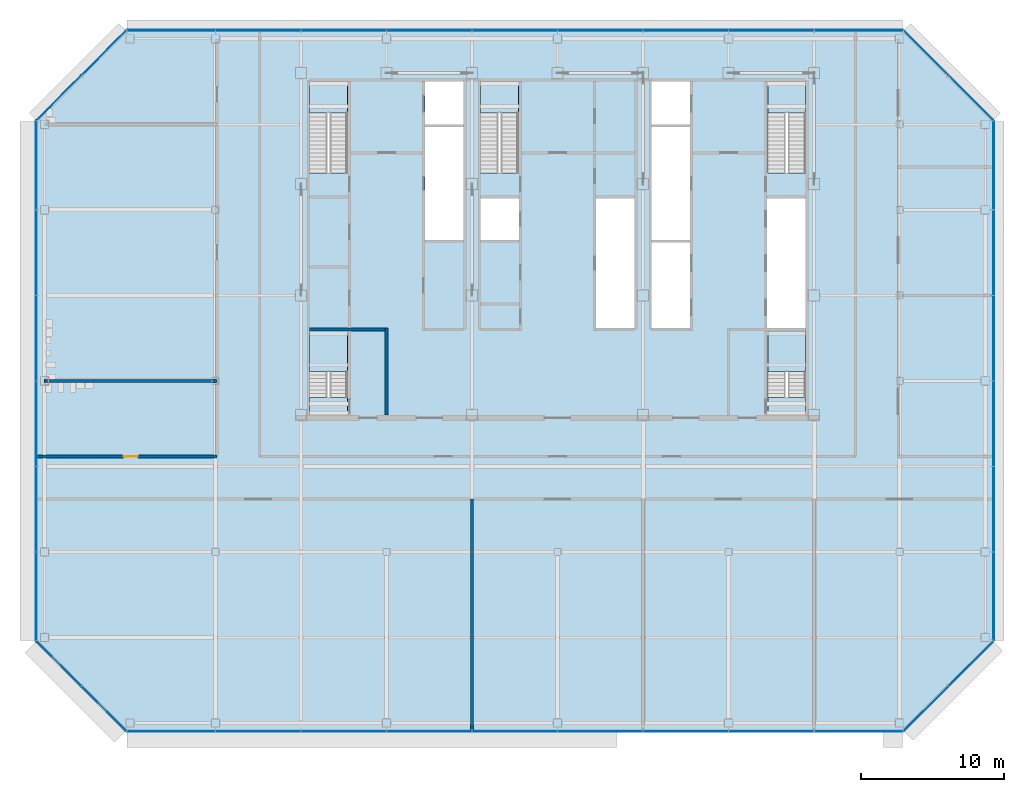
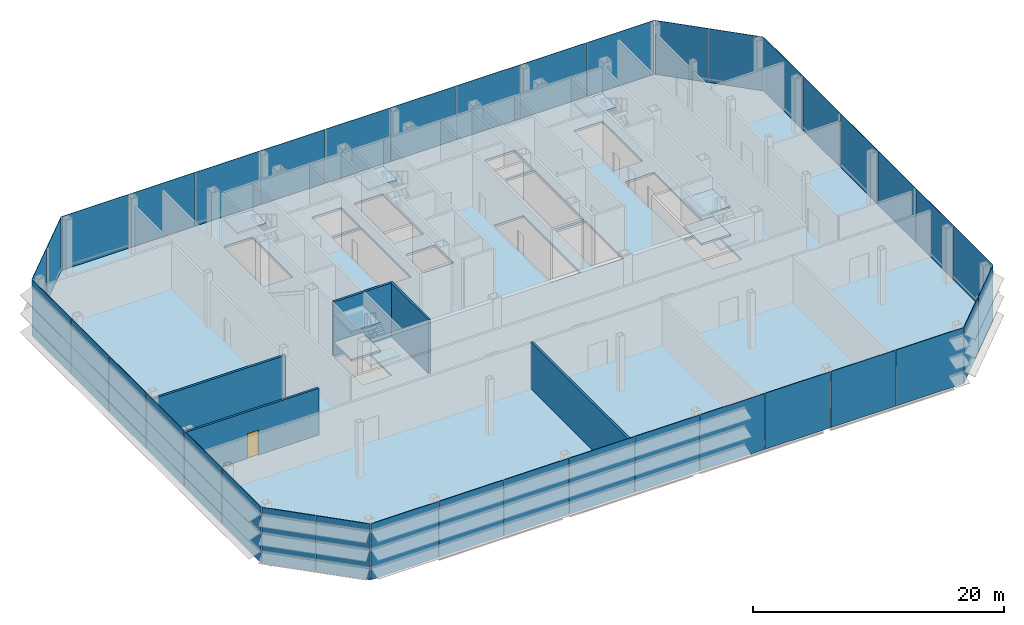
# One storey, part 18 of 26: 38 plates, 10 slabs, 5 walls, 1 door, 1 opening, 13 elements without a shape of their own.
"""IFC4 building model written with IfcOpenShell, lengths in metres."""

from ifc_helpers import new_model, si_unit, direction, frame, frame_2d, origin, origin_2d, place, context, subcontext, project, spatial, polyline, rectangle, outline, extrude, material, layer, layer_set, type_object, element, fill, aggregate, save


model = new_model("IFC4")

# Units and contexts
model_context = context("Model", 3, precision=1e-05, world=origin(), true_north=direction((0.0, 1.0)))
body_context = subcontext(model_context, "Body", "Model", "MODEL_VIEW")
ifc_project = project(units=[si_unit("LENGTHUNIT", "METRE"), si_unit("AREAUNIT", "SQUARE_METRE"), si_unit("VOLUMEUNIT", "CUBIC_METRE"), si_unit("PLANEANGLEUNIT", "RADIAN"), si_unit("MASSUNIT", "GRAM", prefix="KILO")], contexts=[model_context])

# Site, building, storey
site_placement = place(None, origin())
site = spatial("IfcSite", under=ifc_project, at=site_placement, CompositionType="ELEMENT")
building_placement = place(site_placement, origin())
building = spatial("IfcBuilding", under=site, at=building_placement, Name="Sorahane Residences", CompositionType="ELEMENT")
storey_placement = place(building_placement, frame((0.0, 0.0, 257.60009765625)))
storey = spatial("IfcBuildingStorey", under=building, at=storey_placement, Name="L61", CompositionType="ELEMENT", Elevation=257.60009765625)

# Slab
ifc_material_1 = material(Name="Concrete C35", Category="concrete")
ifc_layer_1 = layer(ifc_material_1, 0.219970703125)
ifc_layer_set_1 = layer_set([ifc_layer_1], Name="Composite floor slab 220 mm Concrete C35")
slab_type_1 = type_object("IfcSlabType", Name="Composite floor slab 220 mm Concrete C35", PredefinedType="FLOOR", material=ifc_layer_set_1)
slab_1_placement = place(storey_placement, frame((0.0, 0.0, -0.22021484375)))
element("IfcSlab", 1, at=slab_1_placement, inside=storey, type_object=slab_type_1, Name="Slab L61", PredefinedType="FLOOR", context=body_context, shape_type="SweptSolid", body=[
    extrude(outline(polyline([(-6.24853515625, -0.60009765625), (-12.60009765625, 5.75146484375), (-12.60009765625, 42.24853515625), (-6.24853515625, 48.60009765625), (48.24853515625, 48.60009765625), (54.60009765625, 42.24853515625), (54.60009765625, 5.75146484375), (48.24853515625, -0.60009765625), (-6.24853515625, -0.60009765625)]), holes=[polyline([(38.699951171875, 27.699951171875), (41.39990234375, 27.699951171875), (41.39990234375, 36.800048828125), (38.699951171875, 36.800048828125), (38.699951171875, 27.699951171875)]), polyline([(30.60009765625, 27.699951171875), (33.300048828125, 27.699951171875), (33.300048828125, 33.699951171875), (30.60009765625, 33.699951171875), (30.60009765625, 27.699951171875)]), polyline([(30.60009765625, 42.0), (33.300048828125, 42.0), (33.300048828125, 45.0), (30.60009765625, 45.0), (30.60009765625, 42.0)]), polyline([(14.699951171875, 42.0), (17.39990234375, 42.0), (17.39990234375, 45.0), (14.699951171875, 45.0), (14.699951171875, 42.0)]), polyline([(9.25, 38.60009765625), (9.25, 45.0), (6.60009765625, 45.0), (6.60009765625, 38.60009765625), (9.25, 38.60009765625)]), polyline([(41.39990234375, 38.60009765625), (41.39990234375, 45.0), (38.75, 45.0), (38.75, 38.60009765625), (41.39990234375, 38.60009765625)]), polyline([(21.25, 38.60009765625), (21.25, 45.0), (18.60009765625, 45.0), (18.60009765625, 38.60009765625), (21.25, 38.60009765625)]), polyline([(9.25, 22.85009765625), (9.25, 27.5), (6.60009765625, 27.5), (6.60009765625, 22.85009765625), (9.25, 22.85009765625)]), polyline([(41.39990234375, 22.85009765625), (41.39990234375, 27.5), (38.75, 27.5), (38.75, 22.85009765625), (41.39990234375, 22.85009765625)]), polyline([(14.699951171875, 33.89990234375), (17.39990234375, 33.89990234375), (17.39990234375, 41.800048828125), (14.699951171875, 41.800048828125), (14.699951171875, 33.89990234375)]), polyline([(30.60009765625, 33.89990234375), (33.300048828125, 33.89990234375), (33.300048828125, 41.800048828125), (30.60009765625, 41.800048828125), (30.60009765625, 33.89990234375)]), polyline([(18.60009765625, 33.89990234375), (21.300048828125, 33.89990234375), (21.300048828125, 36.800048828125), (18.60009765625, 36.800048828125), (18.60009765625, 33.89990234375)]), polyline([(26.699951171875, 27.699951171875), (29.39990234375, 27.699951171875), (29.39990234375, 36.800048828125), (26.699951171875, 36.800048828125), (26.699951171875, 27.699951171875)])]), origin(), (0.0, 0.0, 1.0), 0.22021484375),
])

# Curtain wall, plates
ifc_material_2 = material(Name="Dark low-e glass and black anodised aluminium", Category="aluminium")
curtain_wall_type = type_object("IfcCurtainWallType", Name="Curtain wall CW-4 Sky floor frameless wall", PredefinedType="NOTDEFINED", material=ifc_material_2)
curtain_wall_1_placement = place(storey_placement, origin())
curtain_wall_1 = element("IfcCurtainWall", 2, at=curtain_wall_1_placement, inside=storey, type_object=curtain_wall_type, Name="CW-4 curtain wall L61 S1", PredefinedType="NOTDEFINED")
ifc_material_3 = material(Name="Dark low-e glass with black ceramic frit", Category="glass")
ifc_layer_2 = layer(ifc_material_3, 0.0400390625)
ifc_layer_set_2 = layer_set([ifc_layer_2], Name="Curtain wall glass panel dark low-e frameless with black frit band")
plate_type = type_object("IfcPlateType", Name="Curtain wall glass panel dark low-e frameless with black frit band", PredefinedType="CURTAIN_PANEL", material=ifc_layer_set_2)
plate_1_placement = place(storey_placement, frame((-3.11181640625, -0.60009765625, -0.219970703125), z_axis=(0.0, 0.0, 1.0), x_axis=(1.0, 0.0, 0.0)))
plate_1 = element("IfcPlate", 3, at=plate_1_placement, type_object=plate_type, Name="CW-4 glass panel L61 S1.1", PredefinedType="CURTAIN_PANEL", context=body_context, shape_type="SweptSolid", body=[
    extrude(rectangle(XDim=6.173583984375, YDim=0.0400390625, at=origin_2d()), origin(), (0.0, 0.0, 1.0), 5.43994140625),
])
plate_2_placement = place(storey_placement, frame((3.0, -0.60009765625, -0.219970703125), z_axis=(0.0, 0.0, 1.0), x_axis=(1.0, 0.0, 0.0)))
plate_2 = element("IfcPlate", 4, at=plate_2_placement, type_object=plate_type, Name="CW-4 glass panel L61 S1.2", PredefinedType="CURTAIN_PANEL", context=body_context, shape_type="SweptSolid", body=[
    extrude(rectangle(XDim=5.949951171875, YDim=0.0400390625, at=origin_2d()), origin(), (0.0, 0.0, 1.0), 5.43994140625),
])
plate_3_placement = place(storey_placement, frame((9.0, -0.60009765625, -0.219970703125), z_axis=(0.0, 0.0, 1.0), x_axis=(1.0, 0.0, 0.0)))
plate_3 = element("IfcPlate", 5, at=plate_3_placement, type_object=plate_type, Name="CW-4 glass panel L61 S1.3", PredefinedType="CURTAIN_PANEL", context=body_context, shape_type="SweptSolid", body=[
    extrude(rectangle(XDim=5.949951171875, YDim=0.0400390625, at=origin_2d()), origin(), (0.0, 0.0, 1.0), 5.43994140625),
])
plate_4_placement = place(storey_placement, frame((15.0, -0.60009765625, -0.219970703125), z_axis=(0.0, 0.0, 1.0), x_axis=(1.0, 0.0, 0.0)))
plate_4 = element("IfcPlate", 6, at=plate_4_placement, type_object=plate_type, Name="CW-4 glass panel L61 S1.4", PredefinedType="CURTAIN_PANEL", context=body_context, shape_type="SweptSolid", body=[
    extrude(rectangle(XDim=5.949951171875, YDim=0.0400390625, at=origin_2d()), origin(), (0.0, 0.0, 1.0), 5.43994140625),
])
plate_5_placement = place(storey_placement, frame((21.0, -0.60009765625, -0.219970703125), z_axis=(0.0, 0.0, 1.0), x_axis=(1.0, 0.0, 0.0)))
plate_5 = element("IfcPlate", 7, at=plate_5_placement, type_object=plate_type, Name="CW-4 glass panel L61 S1.5", PredefinedType="CURTAIN_PANEL", context=body_context, shape_type="SweptSolid", body=[
    extrude(rectangle(XDim=5.949951171875, YDim=0.0400390625, at=origin_2d()), origin(), (0.0, 0.0, 1.0), 5.43994140625),
])
plate_6_placement = place(storey_placement, frame((27.0, -0.60009765625, -0.219970703125), z_axis=(0.0, 0.0, 1.0), x_axis=(1.0, 0.0, 0.0)))
plate_6 = element("IfcPlate", 8, at=plate_6_placement, type_object=plate_type, Name="CW-4 glass panel L61 S1.6", PredefinedType="CURTAIN_PANEL", context=body_context, shape_type="SweptSolid", body=[
    extrude(rectangle(XDim=5.949951171875, YDim=0.0400390625, at=origin_2d()), origin(), (0.0, 0.0, 1.0), 5.43994140625),
])
plate_7_placement = place(storey_placement, frame((33.0, -0.60009765625, -0.219970703125), z_axis=(0.0, 0.0, 1.0), x_axis=(1.0, 0.0, 0.0)))
plate_7 = element("IfcPlate", 9, at=plate_7_placement, type_object=plate_type, Name="CW-4 glass panel L61 S1.7", PredefinedType="CURTAIN_PANEL", context=body_context, shape_type="SweptSolid", body=[
    extrude(rectangle(XDim=5.949951171875, YDim=0.0400390625, at=origin_2d()), origin(), (0.0, 0.0, 1.0), 5.43994140625),
])
plate_8_placement = place(storey_placement, frame((39.0, -0.60009765625, -0.219970703125), z_axis=(0.0, 0.0, 1.0), x_axis=(1.0, 0.0, 0.0)))
plate_8 = element("IfcPlate", 10, at=plate_8_placement, type_object=plate_type, Name="CW-4 glass panel L61 S1.8", PredefinedType="CURTAIN_PANEL", context=body_context, shape_type="SweptSolid", body=[
    extrude(rectangle(XDim=5.949951171875, YDim=0.0400390625, at=origin_2d()), origin(), (0.0, 0.0, 1.0), 5.43994140625),
])
plate_9_placement = place(storey_placement, frame((45.11181640625, -0.60009765625, -0.219970703125), z_axis=(0.0, 0.0, 1.0), x_axis=(1.0, 0.0, 0.0)))
plate_9 = element("IfcPlate", 11, at=plate_9_placement, type_object=plate_type, Name="CW-4 glass panel L61 S1.9", PredefinedType="CURTAIN_PANEL", context=body_context, shape_type="SweptSolid", body=[
    extrude(rectangle(XDim=6.173583984375, YDim=0.0400390625, at=origin_2d()), origin(), (0.0, 0.0, 1.0), 5.43994140625),
])
aggregate(curtain_wall_1, [plate_1, plate_2, plate_3, plate_4, plate_5, plate_6, plate_7, plate_8, plate_9])

curtain_wall_2_placement = place(storey_placement, origin())
curtain_wall_2 = element("IfcCurtainWall", 12, at=curtain_wall_2_placement, inside=storey, type_object=curtain_wall_type, Name="CW-4 curtain wall L61 SE1", PredefinedType="NOTDEFINED")
plate_10_placement = place(storey_placement, frame((49.84521484375, 0.996826171875, -0.219970703125), z_axis=(0.0, 0.0, 1.0), x_axis=(0.707106781187, 0.707106781187, 0.0)))
plate_10 = element("IfcPlate", 13, at=plate_10_placement, type_object=plate_type, Name="CW-4 glass panel L61 SE1.1", PredefinedType="CURTAIN_PANEL", context=body_context, shape_type="SweptSolid", body=[
    extrude(rectangle(XDim=4.416259765625, YDim=0.0400390625, at=origin_2d()), origin(), (0.0, 0.0, 1.0), 5.43994140625),
])
plate_11_placement = place(storey_placement, frame((53.003173828125, 4.15478515625, -0.219970703125), z_axis=(0.0, 0.0, 1.0), x_axis=(0.707106781187, 0.707106781187, 0.0)))
plate_11 = element("IfcPlate", 14, at=plate_11_placement, type_object=plate_type, Name="CW-4 glass panel L61 SE1.2", PredefinedType="CURTAIN_PANEL", context=body_context, shape_type="SweptSolid", body=[
    extrude(rectangle(XDim=4.416259765625, YDim=0.0400390625, at=origin_2d()), origin(), (0.0, 0.0, 1.0), 5.43994140625),
])
aggregate(curtain_wall_2, [plate_10, plate_11])

curtain_wall_3_placement = place(storey_placement, origin())
curtain_wall_3 = element("IfcCurtainWall", 15, at=curtain_wall_3_placement, inside=storey, type_object=curtain_wall_type, Name="CW-4 curtain wall L61 E1", PredefinedType="NOTDEFINED")
plate_12_placement = place(storey_placement, frame((54.60009765625, 8.88818359375, -0.219970703125), z_axis=(0.0, 0.0, 1.0), x_axis=(0.0, 1.0, 0.0)))
plate_12 = element("IfcPlate", 16, at=plate_12_placement, type_object=plate_type, Name="CW-4 glass panel L61 E1.1", PredefinedType="CURTAIN_PANEL", context=body_context, shape_type="SweptSolid", body=[
    extrude(rectangle(XDim=6.173583984375, YDim=0.0400390625, at=origin_2d()), origin(), (0.0, 0.0, 1.0), 5.43994140625),
])
plate_13_placement = place(storey_placement, frame((54.60009765625, 15.0, -0.219970703125), z_axis=(0.0, 0.0, 1.0), x_axis=(0.0, 1.0, 0.0)))
plate_13 = element("IfcPlate", 17, at=plate_13_placement, type_object=plate_type, Name="CW-4 glass panel L61 E1.2", PredefinedType="CURTAIN_PANEL", context=body_context, shape_type="SweptSolid", body=[
    extrude(rectangle(XDim=5.949951171875, YDim=0.0400390625, at=origin_2d()), origin(), (0.0, 0.0, 1.0), 5.43994140625),
])
plate_14_placement = place(storey_placement, frame((54.60009765625, 21.0, -0.219970703125), z_axis=(0.0, 0.0, 1.0), x_axis=(0.0, 1.0, 0.0)))
plate_14 = element("IfcPlate", 18, at=plate_14_placement, type_object=plate_type, Name="CW-4 glass panel L61 E1.3", PredefinedType="CURTAIN_PANEL", context=body_context, shape_type="SweptSolid", body=[
    extrude(rectangle(XDim=5.949951171875, YDim=0.0400390625, at=origin_2d()), origin(), (0.0, 0.0, 1.0), 5.43994140625),
])
plate_15_placement = place(storey_placement, frame((54.60009765625, 27.0, -0.219970703125), z_axis=(0.0, 0.0, 1.0), x_axis=(0.0, 1.0, 0.0)))
plate_15 = element("IfcPlate", 19, at=plate_15_placement, type_object=plate_type, Name="CW-4 glass panel L61 E1.4", PredefinedType="CURTAIN_PANEL", context=body_context, shape_type="SweptSolid", body=[
    extrude(rectangle(XDim=5.949951171875, YDim=0.0400390625, at=origin_2d()), origin(), (0.0, 0.0, 1.0), 5.43994140625),
])
plate_16_placement = place(storey_placement, frame((54.60009765625, 33.0, -0.219970703125), z_axis=(0.0, 0.0, 1.0), x_axis=(0.0, 1.0, 0.0)))
plate_16 = element("IfcPlate", 20, at=plate_16_placement, type_object=plate_type, Name="CW-4 glass panel L61 E1.5", PredefinedType="CURTAIN_PANEL", context=body_context, shape_type="SweptSolid", body=[
    extrude(rectangle(XDim=5.949951171875, YDim=0.0400390625, at=origin_2d()), origin(), (0.0, 0.0, 1.0), 5.43994140625),
])
plate_17_placement = place(storey_placement, frame((54.60009765625, 39.11181640625, -0.219970703125), z_axis=(0.0, 0.0, 1.0), x_axis=(0.0, 1.0, 0.0)))
plate_17 = element("IfcPlate", 21, at=plate_17_placement, type_object=plate_type, Name="CW-4 glass panel L61 E1.6", PredefinedType="CURTAIN_PANEL", context=body_context, shape_type="SweptSolid", body=[
    extrude(rectangle(XDim=6.173583984375, YDim=0.0400390625, at=origin_2d()), origin(), (0.0, 0.0, 1.0), 5.43994140625),
])
aggregate(curtain_wall_3, [plate_12, plate_13, plate_14, plate_15, plate_16, plate_17])

curtain_wall_4_placement = place(storey_placement, origin())
curtain_wall_4 = element("IfcCurtainWall", 22, at=curtain_wall_4_placement, inside=storey, type_object=curtain_wall_type, Name="CW-4 curtain wall L61 NE1", PredefinedType="NOTDEFINED")
plate_18_placement = place(storey_placement, frame((53.003173828125, 43.84521484375, -0.219970703125), z_axis=(0.0, 0.0, 1.0), x_axis=(-0.707106781187, 0.707106781187, 0.0)))
plate_18 = element("IfcPlate", 23, at=plate_18_placement, type_object=plate_type, Name="CW-4 glass panel L61 NE1.1", PredefinedType="CURTAIN_PANEL", context=body_context, shape_type="SweptSolid", body=[
    extrude(rectangle(XDim=4.416259765625, YDim=0.0400390625, at=origin_2d()), origin(), (0.0, 0.0, 1.0), 5.43994140625),
])
plate_19_placement = place(storey_placement, frame((49.84521484375, 47.003173828125, -0.219970703125), z_axis=(0.0, 0.0, 1.0), x_axis=(-0.707106781187, 0.707106781187, 0.0)))
plate_19 = element("IfcPlate", 24, at=plate_19_placement, type_object=plate_type, Name="CW-4 glass panel L61 NE1.2", PredefinedType="CURTAIN_PANEL", context=body_context, shape_type="SweptSolid", body=[
    extrude(rectangle(XDim=4.416259765625, YDim=0.0400390625, at=origin_2d()), origin(), (0.0, 0.0, 1.0), 5.43994140625),
])
aggregate(curtain_wall_4, [plate_18, plate_19])

curtain_wall_5_placement = place(storey_placement, origin())
curtain_wall_5 = element("IfcCurtainWall", 25, at=curtain_wall_5_placement, inside=storey, type_object=curtain_wall_type, Name="CW-4 curtain wall L61 N1", PredefinedType="NOTDEFINED")
plate_20_placement = place(storey_placement, frame((45.11181640625, 48.60009765625, -0.219970703125), z_axis=(0.0, 0.0, 1.0), x_axis=(-1.0, 0.0, 0.0)))
plate_20 = element("IfcPlate", 26, at=plate_20_placement, type_object=plate_type, Name="CW-4 glass panel L61 N1.1", PredefinedType="CURTAIN_PANEL", context=body_context, shape_type="SweptSolid", body=[
    extrude(rectangle(XDim=6.173583984375, YDim=0.0400390625, at=origin_2d()), origin(), (0.0, 0.0, 1.0), 5.43994140625),
])
plate_21_placement = place(storey_placement, frame((39.0, 48.60009765625, -0.219970703125), z_axis=(0.0, 0.0, 1.0), x_axis=(-1.0, 0.0, 0.0)))
plate_21 = element("IfcPlate", 27, at=plate_21_placement, type_object=plate_type, Name="CW-4 glass panel L61 N1.2", PredefinedType="CURTAIN_PANEL", context=body_context, shape_type="SweptSolid", body=[
    extrude(rectangle(XDim=5.949951171875, YDim=0.0400390625, at=origin_2d()), origin(), (0.0, 0.0, 1.0), 5.43994140625),
])
plate_22_placement = place(storey_placement, frame((33.0, 48.60009765625, -0.219970703125), z_axis=(0.0, 0.0, 1.0), x_axis=(-1.0, 0.0, 0.0)))
plate_22 = element("IfcPlate", 28, at=plate_22_placement, type_object=plate_type, Name="CW-4 glass panel L61 N1.3", PredefinedType="CURTAIN_PANEL", context=body_context, shape_type="SweptSolid", body=[
    extrude(rectangle(XDim=5.949951171875, YDim=0.0400390625, at=origin_2d()), origin(), (0.0, 0.0, 1.0), 5.43994140625),
])
plate_23_placement = place(storey_placement, frame((27.0, 48.60009765625, -0.219970703125), z_axis=(0.0, 0.0, 1.0), x_axis=(-1.0, 0.0, 0.0)))
plate_23 = element("IfcPlate", 29, at=plate_23_placement, type_object=plate_type, Name="CW-4 glass panel L61 N1.4", PredefinedType="CURTAIN_PANEL", context=body_context, shape_type="SweptSolid", body=[
    extrude(rectangle(XDim=5.949951171875, YDim=0.0400390625, at=origin_2d()), origin(), (0.0, 0.0, 1.0), 5.43994140625),
])
plate_24_placement = place(storey_placement, frame((21.0, 48.60009765625, -0.219970703125), z_axis=(0.0, 0.0, 1.0), x_axis=(-1.0, 0.0, 0.0)))
plate_24 = element("IfcPlate", 30, at=plate_24_placement, type_object=plate_type, Name="CW-4 glass panel L61 N1.5", PredefinedType="CURTAIN_PANEL", context=body_context, shape_type="SweptSolid", body=[
    extrude(rectangle(XDim=5.949951171875, YDim=0.0400390625, at=origin_2d()), origin(), (0.0, 0.0, 1.0), 5.43994140625),
])
plate_25_placement = place(storey_placement, frame((15.0, 48.60009765625, -0.219970703125), z_axis=(0.0, 0.0, 1.0), x_axis=(-1.0, 0.0, 0.0)))
plate_25 = element("IfcPlate", 31, at=plate_25_placement, type_object=plate_type, Name="CW-4 glass panel L61 N1.6", PredefinedType="CURTAIN_PANEL", context=body_context, shape_type="SweptSolid", body=[
    extrude(rectangle(XDim=5.949951171875, YDim=0.0400390625, at=origin_2d()), origin(), (0.0, 0.0, 1.0), 5.43994140625),
])
plate_26_placement = place(storey_placement, frame((9.0, 48.60009765625, -0.219970703125), z_axis=(0.0, 0.0, 1.0), x_axis=(-1.0, 0.0, 0.0)))
plate_26 = element("IfcPlate", 32, at=plate_26_placement, type_object=plate_type, Name="CW-4 glass panel L61 N1.7", PredefinedType="CURTAIN_PANEL", context=body_context, shape_type="SweptSolid", body=[
    extrude(rectangle(XDim=5.949951171875, YDim=0.0400390625, at=origin_2d()), origin(), (0.0, 0.0, 1.0), 5.43994140625),
])
plate_27_placement = place(storey_placement, frame((3.0, 48.60009765625, -0.219970703125), z_axis=(0.0, 0.0, 1.0), x_axis=(-1.0, 0.0, 0.0)))
plate_27 = element("IfcPlate", 33, at=plate_27_placement, type_object=plate_type, Name="CW-4 glass panel L61 N1.8", PredefinedType="CURTAIN_PANEL", context=body_context, shape_type="SweptSolid", body=[
    extrude(rectangle(XDim=5.949951171875, YDim=0.0400390625, at=origin_2d()), origin(), (0.0, 0.0, 1.0), 5.43994140625),
])
plate_28_placement = place(storey_placement, frame((-3.11181640625, 48.60009765625, -0.219970703125), z_axis=(0.0, 0.0, 1.0), x_axis=(-1.0, 0.0, 0.0)))
plate_28 = element("IfcPlate", 34, at=plate_28_placement, type_object=plate_type, Name="CW-4 glass panel L61 N1.9", PredefinedType="CURTAIN_PANEL", context=body_context, shape_type="SweptSolid", body=[
    extrude(rectangle(XDim=6.173583984375, YDim=0.0400390625, at=origin_2d()), origin(), (0.0, 0.0, 1.0), 5.43994140625),
])
aggregate(curtain_wall_5, [plate_20, plate_21, plate_22, plate_23, plate_24, plate_25, plate_26, plate_27, plate_28])

curtain_wall_6_placement = place(storey_placement, origin())
curtain_wall_6 = element("IfcCurtainWall", 35, at=curtain_wall_6_placement, inside=storey, type_object=curtain_wall_type, Name="CW-4 curtain wall L61 NW1", PredefinedType="NOTDEFINED")
plate_29_placement = place(storey_placement, frame((-7.84521484375, 47.003173828125, -0.219970703125), z_axis=(0.0, 0.0, 1.0), x_axis=(-0.707106781187, -0.707106781187, 0.0)))
plate_29 = element("IfcPlate", 36, at=plate_29_placement, type_object=plate_type, Name="CW-4 glass panel L61 NW1.1", PredefinedType="CURTAIN_PANEL", context=body_context, shape_type="SweptSolid", body=[
    extrude(rectangle(XDim=4.416259765625, YDim=0.0400390625, at=origin_2d()), origin(), (0.0, 0.0, 1.0), 5.43994140625),
])
plate_30_placement = place(storey_placement, frame((-11.003173828125, 43.84521484375, -0.219970703125), z_axis=(0.0, 0.0, 1.0), x_axis=(-0.707106781187, -0.707106781187, 0.0)))
plate_30 = element("IfcPlate", 37, at=plate_30_placement, type_object=plate_type, Name="CW-4 glass panel L61 NW1.2", PredefinedType="CURTAIN_PANEL", context=body_context, shape_type="SweptSolid", body=[
    extrude(rectangle(XDim=4.416259765625, YDim=0.0400390625, at=origin_2d()), origin(), (0.0, 0.0, 1.0), 5.43994140625),
])
aggregate(curtain_wall_6, [plate_29, plate_30])

curtain_wall_7_placement = place(storey_placement, origin())
curtain_wall_7 = element("IfcCurtainWall", 38, at=curtain_wall_7_placement, inside=storey, type_object=curtain_wall_type, Name="CW-4 curtain wall L61 W1", PredefinedType="NOTDEFINED")
plate_31_placement = place(storey_placement, frame((-12.60009765625, 39.11181640625, -0.219970703125), z_axis=(0.0, 0.0, 1.0), x_axis=(0.0, -1.0, 0.0)))
plate_31 = element("IfcPlate", 39, at=plate_31_placement, type_object=plate_type, Name="CW-4 glass panel L61 W1.1", PredefinedType="CURTAIN_PANEL", context=body_context, shape_type="SweptSolid", body=[
    extrude(rectangle(XDim=6.173583984375, YDim=0.0400390625, at=origin_2d()), origin(), (0.0, 0.0, 1.0), 5.43994140625),
])
plate_32_placement = place(storey_placement, frame((-12.60009765625, 33.0, -0.219970703125), z_axis=(0.0, 0.0, 1.0), x_axis=(0.0, -1.0, 0.0)))
plate_32 = element("IfcPlate", 40, at=plate_32_placement, type_object=plate_type, Name="CW-4 glass panel L61 W1.2", PredefinedType="CURTAIN_PANEL", context=body_context, shape_type="SweptSolid", body=[
    extrude(rectangle(XDim=5.949951171875, YDim=0.0400390625, at=origin_2d()), origin(), (0.0, 0.0, 1.0), 5.43994140625),
])
plate_33_placement = place(storey_placement, frame((-12.60009765625, 27.0, -0.219970703125), z_axis=(0.0, 0.0, 1.0), x_axis=(0.0, -1.0, 0.0)))
plate_33 = element("IfcPlate", 41, at=plate_33_placement, type_object=plate_type, Name="CW-4 glass panel L61 W1.3", PredefinedType="CURTAIN_PANEL", context=body_context, shape_type="SweptSolid", body=[
    extrude(rectangle(XDim=5.949951171875, YDim=0.0400390625, at=origin_2d()), origin(), (0.0, 0.0, 1.0), 5.43994140625),
])
plate_34_placement = place(storey_placement, frame((-12.60009765625, 21.0, -0.219970703125), z_axis=(0.0, 0.0, 1.0), x_axis=(0.0, -1.0, 0.0)))
plate_34 = element("IfcPlate", 42, at=plate_34_placement, type_object=plate_type, Name="CW-4 glass panel L61 W1.4", PredefinedType="CURTAIN_PANEL", context=body_context, shape_type="SweptSolid", body=[
    extrude(rectangle(XDim=5.949951171875, YDim=0.0400390625, at=origin_2d()), origin(), (0.0, 0.0, 1.0), 5.43994140625),
])
plate_35_placement = place(storey_placement, frame((-12.60009765625, 15.0, -0.219970703125), z_axis=(0.0, 0.0, 1.0), x_axis=(0.0, -1.0, 0.0)))
plate_35 = element("IfcPlate", 43, at=plate_35_placement, type_object=plate_type, Name="CW-4 glass panel L61 W1.5", PredefinedType="CURTAIN_PANEL", context=body_context, shape_type="SweptSolid", body=[
    extrude(rectangle(XDim=5.949951171875, YDim=0.0400390625, at=origin_2d()), origin(), (0.0, 0.0, 1.0), 5.43994140625),
])
plate_36_placement = place(storey_placement, frame((-12.60009765625, 8.88818359375, -0.219970703125), z_axis=(0.0, 0.0, 1.0), x_axis=(0.0, -1.0, 0.0)))
plate_36 = element("IfcPlate", 44, at=plate_36_placement, type_object=plate_type, Name="CW-4 glass panel L61 W1.6", PredefinedType="CURTAIN_PANEL", context=body_context, shape_type="SweptSolid", body=[
    extrude(rectangle(XDim=6.173583984375, YDim=0.0400390625, at=origin_2d()), origin(), (0.0, 0.0, 1.0), 5.43994140625),
])
aggregate(curtain_wall_7, [plate_31, plate_32, plate_33, plate_34, plate_35, plate_36])

curtain_wall_8_placement = place(storey_placement, origin())
curtain_wall_8 = element("IfcCurtainWall", 45, at=curtain_wall_8_placement, inside=storey, type_object=curtain_wall_type, Name="CW-4 curtain wall L61 SW1", PredefinedType="NOTDEFINED")
plate_37_placement = place(storey_placement, frame((-11.003173828125, 4.15478515625, -0.219970703125), z_axis=(0.0, 0.0, 1.0), x_axis=(0.707106781187, -0.707106781187, 0.0)))
plate_37 = element("IfcPlate", 46, at=plate_37_placement, type_object=plate_type, Name="CW-4 glass panel L61 SW1.1", PredefinedType="CURTAIN_PANEL", context=body_context, shape_type="SweptSolid", body=[
    extrude(rectangle(XDim=4.416259765625, YDim=0.0400390625, at=origin_2d()), origin(), (0.0, 0.0, 1.0), 5.43994140625),
])
plate_38_placement = place(storey_placement, frame((-7.84521484375, 0.996826171875, -0.219970703125), z_axis=(0.0, 0.0, 1.0), x_axis=(0.707106781187, -0.707106781187, 0.0)))
plate_38 = element("IfcPlate", 47, at=plate_38_placement, type_object=plate_type, Name="CW-4 glass panel L61 SW1.2", PredefinedType="CURTAIN_PANEL", context=body_context, shape_type="SweptSolid", body=[
    extrude(rectangle(XDim=4.416259765625, YDim=0.0400390625, at=origin_2d()), origin(), (0.0, 0.0, 1.0), 5.43994140625),
])
aggregate(curtain_wall_8, [plate_37, plate_38])

# Stair, slab
ifc_material_4 = material(Name="Concrete C40", Category="concrete")
stair_type = type_object("IfcStairType", Name="Dog-leg stair 1250 Concrete C40", PredefinedType="HALF_TURN_STAIR", material=ifc_material_4)
stair_1_placement = place(storey_placement, origin())
stair_1 = element("IfcStair", 48, at=stair_1_placement, inside=storey, type_object=stair_type, Name="L61 Stair S1", PredefinedType="HALF_TURN_STAIR")
ifc_material_5 = material(Name="Concrete C40", Category="concrete")
ifc_layer_3 = layer(ifc_material_5, 0.199951171875)
ifc_layer_set_3 = layer_set([ifc_layer_3], Name="Stair landing 200 Concrete C40")
slab_type_2 = type_object("IfcSlabType", Name="Stair landing 200 Concrete C40", PredefinedType="LANDING", material=ifc_layer_set_3)
slab_2_placement = place(storey_placement, frame((0.0, 0.0, 2.5)))
slab_2 = element("IfcSlab", 49, at=slab_2_placement, type_object=slab_type_2, Name="S1 landing 1", PredefinedType="LANDING", context=body_context, shape_type="SweptSolid", body=[
    extrude(outline(polyline([(9.25, 42.800048828125), (9.25, 45.0), (6.60009765625, 45.0), (6.60009765625, 42.800048828125), (9.25, 42.800048828125)])), origin(), (0.0, 0.0, 1.0), 0.199951171875),
])
aggregate(stair_1, [slab_2])

stair_2_placement = place(storey_placement, origin())
stair_2 = element("IfcStair", 50, at=stair_2_placement, inside=storey, type_object=stair_type, Name="L61 Stair S2", PredefinedType="HALF_TURN_STAIR")
slab_3_placement = place(storey_placement, frame((0.0, 0.0, 2.5)))
slab_3 = element("IfcSlab", 51, at=slab_3_placement, type_object=slab_type_2, Name="S2 landing 1", PredefinedType="LANDING", context=body_context, shape_type="SweptSolid", body=[
    extrude(outline(polyline([(41.39990234375, 42.800048828125), (41.39990234375, 45.0), (38.75, 45.0), (38.75, 42.800048828125), (41.39990234375, 42.800048828125)])), origin(), (0.0, 0.0, 1.0), 0.199951171875),
])
aggregate(stair_2, [slab_3])

stair_3_placement = place(storey_placement, origin())
stair_3 = element("IfcStair", 52, at=stair_3_placement, inside=storey, type_object=stair_type, Name="L61 Stair S3", PredefinedType="HALF_TURN_STAIR")
slab_4_placement = place(storey_placement, frame((0.0, 0.0, 2.5)))
slab_4 = element("IfcSlab", 53, at=slab_4_placement, type_object=slab_type_2, Name="S3 landing 1", PredefinedType="LANDING", context=body_context, shape_type="SweptSolid", body=[
    extrude(outline(polyline([(21.25, 42.800048828125), (21.25, 45.0), (18.60009765625, 45.0), (18.60009765625, 42.800048828125), (21.25, 42.800048828125)])), origin(), (0.0, 0.0, 1.0), 0.199951171875),
])
aggregate(stair_3, [slab_4])

# Stair, slabs
stair_4_placement = place(storey_placement, origin())
stair_4 = element("IfcStair", 54, at=stair_4_placement, inside=storey, type_object=stair_type, Name="L61 Stair S4", PredefinedType="HALF_TURN_STAIR")
slab_5_placement = place(storey_placement, frame((0.0, 0.0, 1.14990234375)))
slab_5 = element("IfcSlab", 55, at=slab_5_placement, type_object=slab_type_2, Name="S4 landing 1", PredefinedType="LANDING", context=body_context, shape_type="SweptSolid", body=[
    extrude(outline(polyline([(9.25, 24.669921875), (9.25, 27.5), (6.60009765625, 27.5), (6.60009765625, 24.669921875), (9.25, 24.669921875)])), origin(), (0.0, 0.0, 1.0), 0.199951171875),
])
slab_6_placement = place(storey_placement, frame((0.0, 0.0, 2.5)))
slab_6 = element("IfcSlab", 56, at=slab_6_placement, type_object=slab_type_2, Name="S4 landing 2", PredefinedType="LANDING", context=body_context, shape_type="SweptSolid", body=[
    extrude(outline(polyline([(9.25, 21.60009765625), (9.25, 22.85009765625), (6.60009765625, 22.85009765625), (6.60009765625, 21.60009765625), (9.25, 21.60009765625)])), origin(), (0.0, 0.0, 1.0), 0.199951171875),
])
slab_7_placement = place(storey_placement, frame((0.0, 0.0, 3.849853515625)))
slab_7 = element("IfcSlab", 57, at=slab_7_placement, type_object=slab_type_2, Name="S4 landing 3", PredefinedType="LANDING", context=body_context, shape_type="SweptSolid", body=[
    extrude(outline(polyline([(9.25, 24.669921875), (9.25, 27.5), (6.60009765625, 27.5), (6.60009765625, 24.669921875), (9.25, 24.669921875)])), origin(), (0.0, 0.0, 1.0), 0.199951171875),
])
aggregate(stair_4, [slab_5, slab_6, slab_7])

stair_5_placement = place(storey_placement, origin())
stair_5 = element("IfcStair", 58, at=stair_5_placement, inside=storey, type_object=stair_type, Name="L61 Stair S5", PredefinedType="HALF_TURN_STAIR")
slab_8_placement = place(storey_placement, frame((0.0, 0.0, 1.14990234375)))
slab_8 = element("IfcSlab", 59, at=slab_8_placement, type_object=slab_type_2, Name="S5 landing 1", PredefinedType="LANDING", context=body_context, shape_type="SweptSolid", body=[
    extrude(outline(polyline([(41.39990234375, 24.669921875), (41.39990234375, 27.5), (38.75, 27.5), (38.75, 24.669921875), (41.39990234375, 24.669921875)])), origin(), (0.0, 0.0, 1.0), 0.199951171875),
])
slab_9_placement = place(storey_placement, frame((0.0, 0.0, 2.5)))
slab_9 = element("IfcSlab", 60, at=slab_9_placement, type_object=slab_type_2, Name="S5 landing 2", PredefinedType="LANDING", context=body_context, shape_type="SweptSolid", body=[
    extrude(outline(polyline([(41.39990234375, 21.60009765625), (41.39990234375, 22.85009765625), (38.75, 22.85009765625), (38.75, 21.60009765625), (41.39990234375, 21.60009765625)])), origin(), (0.0, 0.0, 1.0), 0.199951171875),
])
slab_10_placement = place(storey_placement, frame((0.0, 0.0, 3.849853515625)))
slab_10 = element("IfcSlab", 61, at=slab_10_placement, type_object=slab_type_2, Name="S5 landing 3", PredefinedType="LANDING", context=body_context, shape_type="SweptSolid", body=[
    extrude(outline(polyline([(41.39990234375, 24.669921875), (41.39990234375, 27.5), (38.75, 27.5), (38.75, 24.669921875), (41.39990234375, 24.669921875)])), origin(), (0.0, 0.0, 1.0), 0.199951171875),
])
aggregate(stair_5, [slab_8, slab_9, slab_10])

# Wall
ifc_material_6 = material(Name="Concrete blockwork C20 wall", Category="masonry")
ifc_layer_4 = layer(ifc_material_6, 0.199951171875)
ifc_layer_set_4 = layer_set([ifc_layer_4], Name="Corridor wall 200 EI 120")
wall_type_1 = type_object("IfcWallType", Name="Corridor wall 200 EI 120", PredefinedType="SOLIDWALL", material=ifc_layer_set_4)
wall_1_placement = place(storey_placement, frame((18.0, -0.60009765625, 0.0), z_axis=(0.0, 0.0, 1.0), x_axis=(0.0, 1.0, 0.0)))
element("IfcWall", 62, at=wall_1_placement, inside=storey, type_object=wall_type_1, Name="L61 corridor wall", PredefinedType="SOLIDWALL", context=body_context, shape_type="SweptSolid", body=[
    extrude(rectangle(XDim=16.300048828125, YDim=0.199951171875, at=frame_2d((8.14990234375, 0.0))), origin(), (0.0, 0.0, 1.0), 4.52001953125),
])

# Wall, opening, door
wall_2_placement = place(storey_placement, frame((-12.60009765625, 18.699951171875, 0.0), z_axis=(0.0, 0.0, 1.0), x_axis=(1.0, 0.0, 0.0)))
wall_2 = element("IfcWall", 63, at=wall_2_placement, inside=storey, type_object=wall_type_1, Name="L61 corridor wall", PredefinedType="SOLIDWALL", context=body_context, shape_type="SweptSolid", body=[
    extrude(rectangle(XDim=12.7001953125, YDim=0.199951171875, at=frame_2d((6.35009765625, 0.0))), origin(), (0.0, 0.0, 1.0), 4.52001953125),
])
opening_placement = place(wall_2_placement, frame((6.14990234375, 0.0, 0.0)))
opening = element("IfcOpeningElement", 64, at=opening_placement, cuts=wall_2, Name="Opening L61-05", PredefinedType="OPENING", context=body_context, shape_type="SweptSolid", body=[
    extrude(rectangle(XDim=1.0, YDim=2.39990234375, at=frame_2d((0.5, 1.199951171875))), frame((0.0, 0.10986328125, 0.0), z_axis=(0.0, -1.0, 0.0), x_axis=(1.0, 0.0, 0.0)), (0.0, 0.0, 1.0), 0.219970703125),
])
ifc_material_7 = material(Name="Timber veneered fire door", Category="wood")
door_type = type_object("IfcDoorType", Name="Room door 1000x2400 FD30", OperationType="NOTDEFINED", PredefinedType="DOOR", material=ifc_material_7)
door_placement = place(opening_placement, origin())
door = element("IfcDoor", 65, at=door_placement, inside=storey, type_object=door_type, Name="Room door L61-05", OperationType="SINGLE_SWING_RIGHT", OverallHeight=2.39990234375, OverallWidth=1.0, PredefinedType="DOOR", context=body_context, shape_type="SweptSolid", body=[
    extrude(rectangle(XDim=1.0, YDim=2.39990234375, at=frame_2d((0.5, 1.199951171875))), frame((0.0, 0.02490234375, 0.0), z_axis=(0.0, -1.0, 0.0), x_axis=(1.0, 0.0, 0.0)), (0.0, 0.0, 1.0), 0.050048828125),
])
fill(opening, door)

# Walls
wall_3_placement = place(storey_placement, frame((-12.0, 24.0, 0.0), z_axis=(0.0, 0.0, 1.0), x_axis=(1.0, 0.0, 0.0)))
element("IfcWall", 66, at=wall_3_placement, inside=storey, type_object=wall_type_1, Name="L61 corridor wall", PredefinedType="SOLIDWALL", context=body_context, shape_type="SweptSolid", body=[
    extrude(rectangle(XDim=12.10009765625, YDim=0.199951171875, at=frame_2d((6.050048828125, 0.0))), origin(), (0.0, 0.0, 1.0), 4.52001953125),
])
ifc_material_8 = material(Name="Concrete C30", Category="concrete")
ifc_layer_5 = layer(ifc_material_8, 0.199951171875)
ifc_layer_set_5 = layer_set([ifc_layer_5], Name="Front room wall 200 EI 120")
wall_type_2 = type_object("IfcWallType", Name="Front room wall 200 EI 120", PredefinedType="PARTITIONING", material=ifc_layer_set_5)
wall_4_placement = place(storey_placement, frame((12.0, 21.60009765625, 0.0), z_axis=(0.0, 0.0, 1.0), x_axis=(0.0, 1.0, 0.0)))
element("IfcWall", 67, at=wall_4_placement, inside=storey, type_object=wall_type_2, Name="L61 front room wall", PredefinedType="PARTITIONING", context=body_context, shape_type="SweptSolid", body=[
    extrude(rectangle(XDim=6.099853515625, YDim=0.199951171875, at=frame_2d((3.0498046875, 0.0))), origin(), (0.0, 0.0, 1.0), 5.219970703125),
])
ifc_material_9 = material(Name="Concrete C30", Category="concrete")
ifc_layer_6 = layer(ifc_material_9, 0.199951171875)
ifc_layer_set_6 = layer_set([ifc_layer_6], Name="Stair enclosure wall 200 EI 120")
wall_type_3 = type_object("IfcWallType", Name="Stair enclosure wall 200 EI 120", PredefinedType="SOLIDWALL", material=ifc_layer_set_6)
wall_5_placement = place(storey_placement, frame((6.60009765625, 27.60009765625, 0.0), z_axis=(0.0, 0.0, 1.0), x_axis=(1.0, 0.0, 0.0)))
element("IfcWall", 68, at=wall_5_placement, inside=storey, type_object=wall_type_3, Name="L61 stair enclosure wall", PredefinedType="SOLIDWALL", context=body_context, shape_type="SweptSolid", body=[
    extrude(rectangle(XDim=5.2998046875, YDim=0.199951171875, at=frame_2d((2.64990234375, 0.0))), origin(), (0.0, 0.0, 1.0), 5.219970703125),
])

save(model, "model.ifc")
